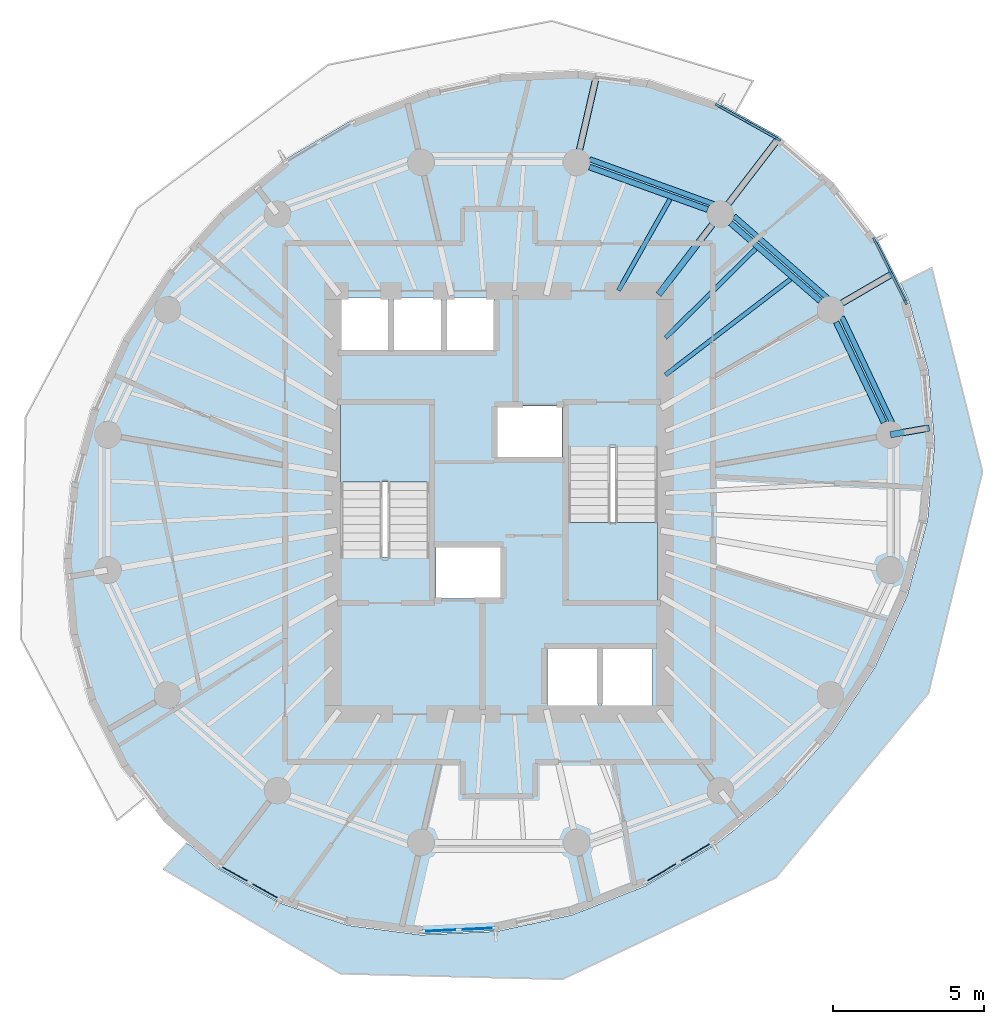
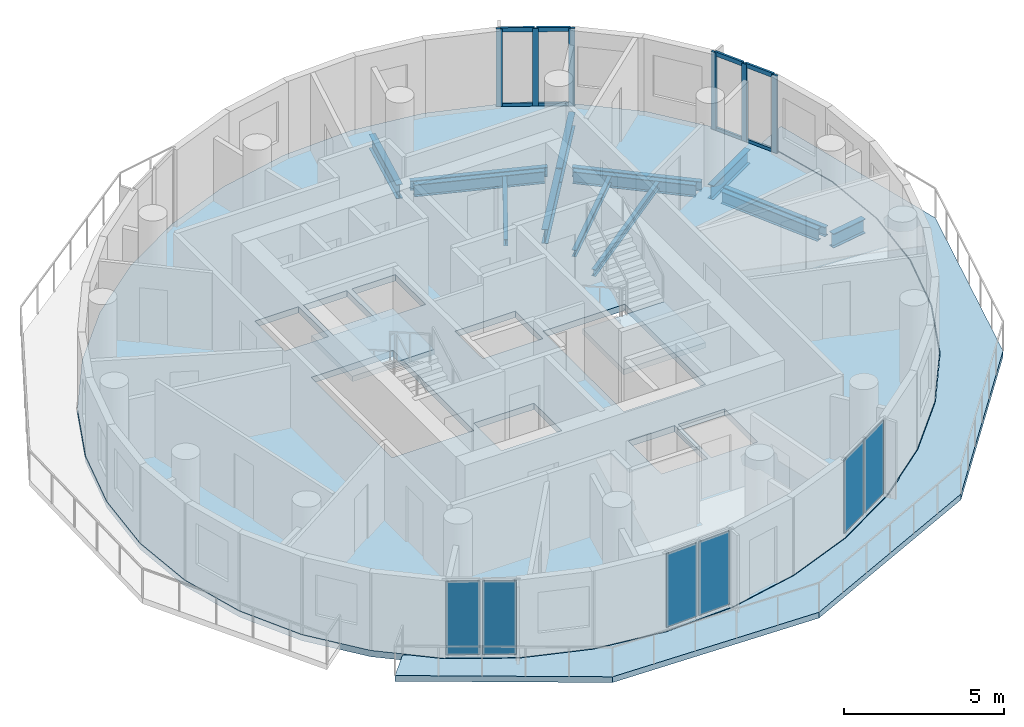
# One storey, part 3 of 10: 14 beams, 14 members, 6 plates, 4 slabs, 7 elements without a shape of their own.
"""IFC4 building model written with IfcOpenShell, lengths in metres."""

from ifc_helpers import new_model, si_unit, direction, frame, origin, origin_2d, place, context, subcontext, project, spatial, polyline, rectangle, i_section, outline, extrude, material, layer, layer_set, material_profile, profile_set, type_object, element, aggregate, save


model = new_model("IFC4")

# Units and contexts
model_context = context("Model", 3, precision=1e-05, world=origin(), true_north=direction((0.0, 1.0)))
body_context = subcontext(model_context, "Body", "Model", "MODEL_VIEW")
ifc_project = project(units=[si_unit("LENGTHUNIT", "METRE"), si_unit("AREAUNIT", "SQUARE_METRE"), si_unit("VOLUMEUNIT", "CUBIC_METRE"), si_unit("PLANEANGLEUNIT", "RADIAN"), si_unit("MASSUNIT", "GRAM", prefix="KILO")], contexts=[model_context])

# Site, building, storey
site_placement = place(None, origin())
site = spatial("IfcSite", under=ifc_project, at=site_placement, CompositionType="ELEMENT")
building_placement = place(site_placement, origin())
building = spatial("IfcBuilding", under=site, at=building_placement, Name="Veldorim Arch Residences", CompositionType="ELEMENT")
storey_placement = place(building_placement, frame((0.0, 0.0, 179.0400390625)))
storey = spatial("IfcBuildingStorey", under=building, at=storey_placement, Name="L53", CompositionType="ELEMENT", Elevation=179.0400390625)

# Beams
ifc_material_1 = material(Name="Steel S355", Category="steel")
ifc_material_profile_1 = material_profile(ifc_material_1, i_section(OverallWidth=0.2119140625, OverallDepth=0.54443359375, WebThickness=0.0126953125, FlangeThickness=0.021240234375, at=origin_2d()), Name="UB533x210x122")
ifc_profile_set_1 = profile_set([ifc_material_profile_1], Name="Steel S355")
beam_type_1 = type_object("IfcBeamType", Name="Structural Steel Beam UB533x210x122", PredefinedType="BEAM", material=ifc_profile_set_1)
beam_1_placement = place(storey_placement, frame((44.966064453125, 26.242919921875, -0.512451171875), z_axis=(0.985349902199, 0.170544921461, 0.0), x_axis=(-0.170544921461, 0.985349902199, 0.0)))
element("IfcBeam", 1, at=beam_1_placement, inside=storey, type_object=beam_type_1, Name="L53 radial edge cantilever girder 01", PredefinedType="BEAM", context=body_context, shape_type="SweptSolid", body=[
    extrude(i_section(OverallWidth=0.2119140625, OverallDepth=0.54443359375, WebThickness=0.0126953125, FlangeThickness=0.021240234375, at=origin_2d()), origin(), (0.0, 0.0, 1.0), 1.306884765625),
])
beam_2_placement = place(storey_placement, frame((42.99267578125, 30.387939453125, -0.512451171875), z_axis=(0.86459242159, 0.50247382472, 0.0), x_axis=(-0.50247382472, 0.86459242159, 0.0)))
element("IfcBeam", 2, at=beam_2_placement, inside=storey, type_object=beam_type_1, Name="L53 radial edge cantilever girder 02", PredefinedType="BEAM", context=body_context, shape_type="SweptSolid", body=[
    extrude(i_section(OverallWidth=0.2119140625, OverallDepth=0.54443359375, WebThickness=0.0126953125, FlangeThickness=0.021240234375, at=origin_2d()), origin(), (0.0, 0.0, 1.0), 2.315185546875),
])
beam_3_placement = place(storey_placement, frame((37.28662109375, 30.881103515625, -0.512451171875), z_axis=(0.609258442308, 0.792971721108, 0.0), x_axis=(-0.792971721108, 0.609258442308, 0.0)))
element("IfcBeam", 3, at=beam_3_placement, inside=storey, type_object=beam_type_1, Name="L53 radial floor girder 03", PredefinedType="BEAM", context=body_context, shape_type="SweptSolid", body=[
    extrude(i_section(OverallWidth=0.2119140625, OverallDepth=0.54443359375, WebThickness=0.0126953125, FlangeThickness=0.021240234375, at=origin_2d()), origin(), (0.0, 0.0, 1.0), 3.339599609375),
])
beam_4_placement = place(storey_placement, frame((39.345703125, 33.561279296875, -0.512451171875), z_axis=(0.609273468497, 0.792960175914, 0.0), x_axis=(-0.792960175914, 0.609273468497, 0.0)))
element("IfcBeam", 4, at=beam_4_placement, inside=storey, type_object=beam_type_1, Name="L53 radial edge cantilever girder 03", PredefinedType="BEAM", context=body_context, shape_type="SweptSolid", body=[
    extrude(i_section(OverallWidth=0.2119140625, OverallDepth=0.54443359375, WebThickness=0.0126953125, FlangeThickness=0.021240234375, at=origin_2d()), origin(), (0.0, 0.0, 1.0), 3.103515625),
])
beam_5_placement = place(storey_placement, frame((34.57958984375, 35.27880859375, -0.512451171875), z_axis=(0.222932038034, 0.974833989158, 0.0), x_axis=(-0.974833989158, 0.222932038034, 0.0)))
element("IfcBeam", 5, at=beam_5_placement, inside=storey, type_object=beam_type_1, Name="L53 radial edge cantilever girder 04", PredefinedType="BEAM", context=body_context, shape_type="SweptSolid", body=[
    extrude(i_section(OverallWidth=0.2119140625, OverallDepth=0.54443359375, WebThickness=0.0126953125, FlangeThickness=0.021240234375, at=origin_2d()), origin(), (0.0, 0.0, 1.0), 2.9052734375),
])
ifc_material_2 = material(Name="Steel S355", Category="steel")
ifc_material_profile_2 = material_profile(ifc_material_2, i_section(OverallWidth=0.146484375, OverallDepth=0.256103515625, WebThickness=0.00634765625, FlangeThickness=0.010986328125, at=origin_2d()), Name="UB254x146x37")
ifc_profile_set_2 = profile_set([ifc_material_profile_2], Name="Steel S355")
beam_type_2 = type_object("IfcBeamType", Name="Structural Steel Joist UB254x146x37", PredefinedType="JOIST", material=ifc_profile_set_2)
beam_6_placement = place(storey_placement, frame((37.515869140625, 28.222900390625, -0.367919921875), z_axis=(0.794013672216, 0.607899899929, 0.0), x_axis=(-0.607899899929, 0.794013672216, 0.0)))
element("IfcBeam", 6, at=beam_6_placement, inside=storey, type_object=beam_type_2, Name="L53 secondary radial floor joist 02-1", PredefinedType="JOIST", context=body_context, shape_type="SweptSolid", body=[
    extrude(i_section(OverallWidth=0.146484375, OverallDepth=0.256103515625, WebThickness=0.00634765625, FlangeThickness=0.010986328125, at=origin_2d()), origin(), (0.0, 0.0, 1.0), 5.217041015625),
])
beam_7_placement = place(storey_placement, frame((37.51416015625, 29.44775390625, -0.367919921875), z_axis=(0.711396725432, 0.702790650937, 0.0), x_axis=(-0.702790650937, 0.711396725432, 0.0)))
element("IfcBeam", 7, at=beam_7_placement, inside=storey, type_object=beam_type_2, Name="L53 secondary radial floor joist 02-2", PredefinedType="JOIST", context=body_context, shape_type="SweptSolid", body=[
    extrude(i_section(OverallWidth=0.146484375, OverallDepth=0.256103515625, WebThickness=0.00634765625, FlangeThickness=0.010986328125, at=origin_2d()), origin(), (0.0, 0.0, 1.0), 4.198486328125),
])
beam_8_placement = place(storey_placement, frame((35.960205078125, 31.017333984375, -0.367919921875), z_axis=(0.491452469585, 0.870904397818, 0.0), x_axis=(-0.870904397818, 0.491452469585, 0.0)))
element("IfcBeam", 8, at=beam_8_placement, inside=storey, type_object=beam_type_2, Name="L53 secondary radial floor joist 03-1", PredefinedType="JOIST", context=body_context, shape_type="SweptSolid", body=[
    extrude(i_section(OverallWidth=0.146484375, OverallDepth=0.256103515625, WebThickness=0.00634765625, FlangeThickness=0.010986328125, at=origin_2d()), origin(), (0.0, 0.0, 1.0), 3.472412109375),
])
ifc_material_3 = material(Name="Steel S355", Category="steel")
ifc_material_profile_3 = material_profile(ifc_material_3, i_section(OverallWidth=0.172119140625, OverallDepth=0.35791015625, WebThickness=0.008056640625, FlangeThickness=0.012939453125, at=origin_2d()), Name="UB356x171x57")
ifc_profile_set_3 = profile_set([ifc_material_profile_3], Name="Steel S355")
beam_type_3 = type_object("IfcBeamType", Name="Structural Steel Spandrel UB356x171x57", PredefinedType="SPANDREL", material=ifc_profile_set_3)
beam_9_placement = place(storey_placement, frame((45.0205078125, 26.6396484375, -0.43896484375), z_axis=(-0.428408308939, 0.903585259304, 0.0), x_axis=(-0.903585259304, -0.428408308939, 0.0)))
element("IfcBeam", 9, at=beam_9_placement, inside=storey, type_object=beam_type_3, Name="L53 perimeter chord spandrel beam 01", PredefinedType="SPANDREL", context=body_context, shape_type="SweptSolid", body=[
    extrude(i_section(OverallWidth=0.172119140625, OverallDepth=0.35791015625, WebThickness=0.008056640625, FlangeThickness=0.012939453125, at=origin_2d()), origin(), (0.0, 0.0, 1.0), 3.878662109375),
])
beam_10_placement = place(storey_placement, frame((42.891357421875, 30.762939453125, -0.43896484375), z_axis=(-0.752847646119, 0.6581948205, 0.0), x_axis=(-0.6581948205, -0.752847646119, 0.0)))
element("IfcBeam", 10, at=beam_10_placement, inside=storey, type_object=beam_type_3, Name="L53 perimeter chord spandrel beam 02", PredefinedType="SPANDREL", context=body_context, shape_type="SweptSolid", body=[
    extrude(i_section(OverallWidth=0.172119140625, OverallDepth=0.35791015625, WebThickness=0.008056640625, FlangeThickness=0.012939453125, at=origin_2d()), origin(), (0.0, 0.0, 1.0), 4.12939453125),
])
beam_11_placement = place(storey_placement, frame((39.112060546875, 33.87646484375, -0.43896484375), z_axis=(-0.940164695555, 0.340720332871, 0.0), x_axis=(-0.340720332871, -0.940164695555, 0.0)))
element("IfcBeam", 11, at=beam_11_placement, inside=storey, type_object=beam_type_3, Name="L53 perimeter chord spandrel beam 03", PredefinedType="SPANDREL", context=body_context, shape_type="SweptSolid", body=[
    extrude(i_section(OverallWidth=0.172119140625, OverallDepth=0.35791015625, WebThickness=0.008056640625, FlangeThickness=0.012939453125, at=origin_2d()), origin(), (0.0, 0.0, 1.0), 4.370849609375),
])
ifc_material_4 = material(Name="Steel S355", Category="steel")
ifc_material_profile_4 = material_profile(ifc_material_4, i_section(OverallWidth=0.19140625, OverallDepth=0.4599609375, WebThickness=0.010009765625, FlangeThickness=0.01611328125, at=origin_2d()), Name="UB457x191x82")
ifc_profile_set_4 = profile_set([ifc_material_profile_4], Name="Steel S355")
beam_type_4 = type_object("IfcBeamType", Name="Structural Steel Spandrel UB457x191x82", PredefinedType="SPANDREL", material=ifc_profile_set_4)
beam_12_placement = place(storey_placement, frame((44.7529296875, 26.64599609375, -0.469970703125), z_axis=(-0.430005613988, 0.902826213586, 0.0), x_axis=(-0.902826213586, -0.430005613988, 0.0)))
element("IfcBeam", 12, at=beam_12_placement, inside=storey, type_object=beam_type_4, Name="L53 perimeter ring tie beam 01", PredefinedType="SPANDREL", context=body_context, shape_type="SweptSolid", body=[
    extrude(i_section(OverallWidth=0.19140625, OverallDepth=0.4599609375, WebThickness=0.010009765625, FlangeThickness=0.01611328125, at=origin_2d()), origin(), (0.0, 0.0, 1.0), 3.68359375),
])
beam_13_placement = place(storey_placement, frame((42.635986328125, 30.673095703125, -0.469970703125), z_axis=(-0.754545285701, 0.656247980436, 0.0), x_axis=(-0.656247980436, -0.754545285701, 0.0)))
element("IfcBeam", 13, at=beam_13_placement, inside=storey, type_object=beam_type_4, Name="L53 perimeter ring tie beam 02", PredefinedType="SPANDREL", context=body_context, shape_type="SweptSolid", body=[
    extrude(i_section(OverallWidth=0.19140625, OverallDepth=0.4599609375, WebThickness=0.010009765625, FlangeThickness=0.01611328125, at=origin_2d()), origin(), (0.0, 0.0, 1.0), 3.9267578125),
])
beam_14_placement = place(storey_placement, frame((38.91015625, 33.69775390625, -0.469970703125), z_axis=(-0.940811035395, 0.338931550137, 0.0), x_axis=(-0.338931550137, -0.940811035395, 0.0)))
element("IfcBeam", 14, at=beam_14_placement, inside=storey, type_object=beam_type_4, Name="L53 perimeter ring tie beam 03", PredefinedType="SPANDREL", context=body_context, shape_type="SweptSolid", body=[
    extrude(i_section(OverallWidth=0.19140625, OverallDepth=0.4599609375, WebThickness=0.010009765625, FlangeThickness=0.01611328125, at=origin_2d()), origin(), (0.0, 0.0, 1.0), 4.15771484375),
])

# Curtain wall, members
ifc_material_5 = material(Name="Aluminium", Category="aluminium")
curtain_wall_type = type_object("IfcCurtainWallType", Name="Zone 4 High-Altitude Unitised Curtain Wall", PredefinedType="NOTDEFINED", material=ifc_material_5)
curtain_wall_1_placement = place(storey_placement, origin())
curtain_wall_1 = element("IfcCurtainWall", 15, at=curtain_wall_1_placement, inside=storey, type_object=curtain_wall_type, Name="L53 unitised curtain wall bay 02", PredefinedType="NOTDEFINED")
ifc_material_6 = material(Name="Aluminium", Category="aluminium")
ifc_material_profile_5 = material_profile(ifc_material_6, rectangle(XDim=0.074951171875, YDim=0.195068359375, at=origin_2d()), Name="ALU_MUL_75x195")
ifc_profile_set_5 = profile_set([ifc_material_profile_5], Name="Aluminium")
member_type_1 = type_object("IfcMemberType", Name="Zone 4 High-Altitude Unitised Curtain Wall Mullion 75x195", PredefinedType="MULLION", material=ifc_profile_set_5)
member_1_placement = place(storey_placement, frame((39.25390625, 37.14013671875, 0.0), z_axis=(0.0, 0.0, 1.0), x_axis=(0.487736356175, 0.872990977539, 0.0)))
member_1 = element("IfcMember", 16, at=member_1_placement, type_object=member_type_1, Name="CW-Z4 mullion 1", PredefinedType="MULLION", context=body_context, shape_type="SweptSolid", body=[
    extrude(rectangle(XDim=0.074951171875, YDim=0.195068359375, at=origin_2d()), origin(), (0.0, 0.0, 1.0), 2.9599609375),
])
member_2_placement = place(storey_placement, frame((40.24560546875, 36.586181640625, 0.0), z_axis=(0.0, 0.0, 1.0), x_axis=(0.487736356175, 0.872990977539, 0.0)))
member_2 = element("IfcMember", 17, at=member_2_placement, type_object=member_type_1, Name="CW-Z4 mullion 2", PredefinedType="MULLION", context=body_context, shape_type="SweptSolid", body=[
    extrude(rectangle(XDim=0.074951171875, YDim=0.195068359375, at=origin_2d()), origin(), (0.0, 0.0, 1.0), 2.9599609375),
])
member_3_placement = place(storey_placement, frame((41.237060546875, 36.0322265625, 0.0), z_axis=(0.0, 0.0, 1.0), x_axis=(0.487736356175, 0.872990977539, 0.0)))
member_3 = element("IfcMember", 18, at=member_3_placement, type_object=member_type_1, Name="CW-Z4 mullion 3", PredefinedType="MULLION", context=body_context, shape_type="SweptSolid", body=[
    extrude(rectangle(XDim=0.074951171875, YDim=0.195068359375, at=origin_2d()), origin(), (0.0, 0.0, 1.0), 2.9599609375),
])

curtain_wall_2_placement = place(storey_placement, origin())
curtain_wall_2 = element("IfcCurtainWall", 19, at=curtain_wall_2_placement, inside=storey, type_object=curtain_wall_type, Name="L53 unitised curtain wall bay 35", PredefinedType="NOTDEFINED")
member_4_placement = place(storey_placement, frame((44.445068359375, 32.673095703125, 0.0), z_axis=(0.0, 0.0, 1.0), x_axis=(0.894537952804, 0.446992003276, 0.0)))
member_4 = element("IfcMember", 20, at=member_4_placement, type_object=member_type_1, Name="CW-Z4 mullion 1", PredefinedType="MULLION", context=body_context, shape_type="SweptSolid", body=[
    extrude(rectangle(XDim=0.074951171875, YDim=0.195068359375, at=origin_2d()), origin(), (0.0, 0.0, 1.0), 2.9599609375),
])
member_5_placement = place(storey_placement, frame((44.95263671875, 31.656982421875, 0.0), z_axis=(0.0, 0.0, 1.0), x_axis=(0.894537952804, 0.446992003276, 0.0)))
member_5 = element("IfcMember", 21, at=member_5_placement, type_object=member_type_1, Name="CW-Z4 mullion 2", PredefinedType="MULLION", context=body_context, shape_type="SweptSolid", body=[
    extrude(rectangle(XDim=0.074951171875, YDim=0.195068359375, at=origin_2d()), origin(), (0.0, 0.0, 1.0), 2.9599609375),
])
member_6_placement = place(storey_placement, frame((45.46044921875, 30.640869140625, 0.0), z_axis=(0.0, 0.0, 1.0), x_axis=(0.894537952804, 0.446992003276, 0.0)))
member_6 = element("IfcMember", 22, at=member_6_placement, type_object=member_type_1, Name="CW-Z4 mullion 3", PredefinedType="MULLION", context=body_context, shape_type="SweptSolid", body=[
    extrude(rectangle(XDim=0.074951171875, YDim=0.195068359375, at=origin_2d()), origin(), (0.0, 0.0, 1.0), 2.9599609375),
])

# Member
ifc_material_7 = material(Name="Aluminium", Category="aluminium")
ifc_material_profile_6 = material_profile(ifc_material_7, rectangle(XDim=0.074951171875, YDim=0.1650390625, at=origin_2d()), Name="ALU_TRN_75x165")
ifc_profile_set_6 = profile_set([ifc_material_profile_6], Name="Aluminium")
member_type_2 = type_object("IfcMemberType", Name="Zone 4 High-Altitude Unitised Curtain Wall Transom 75x165", PredefinedType="USERDEFINED", material=ifc_profile_set_6)
member_7_placement = place(storey_placement, frame((39.28662109375, 37.121826171875, 0.037353515625), z_axis=(0.873058743118, -0.487615043929, 0.0), x_axis=(0.487615043929, 0.873058743118, 0.0)))
member_7 = element("IfcMember", 23, at=member_7_placement, type_object=member_type_2, Name="CW-Z4 transom 1.1", ObjectType="TRANSOM", PredefinedType="USERDEFINED", context=body_context, shape_type="SweptSolid", body=[
    extrude(rectangle(XDim=0.074951171875, YDim=0.1650390625, at=origin_2d()), origin(), (0.0, 0.0, 1.0), 1.06103515625),
])

member_8_placement = place(storey_placement, frame((39.28662109375, 37.121826171875, 2.92236328125), z_axis=(0.873058743118, -0.487615043929, 0.0), x_axis=(0.487615043929, 0.873058743118, 0.0)))
member_8 = element("IfcMember", 24, at=member_8_placement, type_object=member_type_2, Name="CW-Z4 transom 1.2", ObjectType="TRANSOM", PredefinedType="USERDEFINED", context=body_context, shape_type="SweptSolid", body=[
    extrude(rectangle(XDim=0.074951171875, YDim=0.1650390625, at=origin_2d()), origin(), (0.0, 0.0, 1.0), 1.06103515625),
])

member_9_placement = place(storey_placement, frame((40.2783203125, 36.56787109375, 0.037353515625), z_axis=(0.87300401239, -0.487713024586, 0.0), x_axis=(0.487713024586, 0.87300401239, 0.0)))
member_9 = element("IfcMember", 25, at=member_9_placement, type_object=member_type_2, Name="CW-Z4 transom 2.1", ObjectType="TRANSOM", PredefinedType="USERDEFINED", context=body_context, shape_type="SweptSolid", body=[
    extrude(rectangle(XDim=0.074951171875, YDim=0.1650390625, at=origin_2d()), origin(), (0.0, 0.0, 1.0), 1.060791015625),
])

member_10_placement = place(storey_placement, frame((40.2783203125, 36.56787109375, 2.92236328125), z_axis=(0.87300401239, -0.487713024586, 0.0), x_axis=(0.487713024586, 0.87300401239, 0.0)))
member_10 = element("IfcMember", 26, at=member_10_placement, type_object=member_type_2, Name="CW-Z4 transom 2.2", ObjectType="TRANSOM", PredefinedType="USERDEFINED", context=body_context, shape_type="SweptSolid", body=[
    extrude(rectangle(XDim=0.074951171875, YDim=0.1650390625, at=origin_2d()), origin(), (0.0, 0.0, 1.0), 1.060791015625),
])

aggregate(curtain_wall_1, [member_1, member_2, member_3, member_7, member_8, member_9, member_10])

member_11_placement = place(storey_placement, frame((44.461669921875, 32.6396484375, 0.037353515625), z_axis=(0.447121545464, -0.894473210097, 0.0), x_axis=(0.894473210097, 0.447121545464, 0.0)))
member_11 = element("IfcMember", 27, at=member_11_placement, type_object=member_type_2, Name="CW-Z4 transom 1.1", ObjectType="TRANSOM", PredefinedType="USERDEFINED", context=body_context, shape_type="SweptSolid", body=[
    extrude(rectangle(XDim=0.074951171875, YDim=0.1650390625, at=origin_2d()), origin(), (0.0, 0.0, 1.0), 1.06103515625),
])

member_12_placement = place(storey_placement, frame((44.461669921875, 32.6396484375, 2.92236328125), z_axis=(0.447121545464, -0.894473210097, 0.0), x_axis=(0.894473210097, 0.447121545464, 0.0)))
member_12 = element("IfcMember", 28, at=member_12_placement, type_object=member_type_2, Name="CW-Z4 transom 1.2", ObjectType="TRANSOM", PredefinedType="USERDEFINED", context=body_context, shape_type="SweptSolid", body=[
    extrude(rectangle(XDim=0.074951171875, YDim=0.1650390625, at=origin_2d()), origin(), (0.0, 0.0, 1.0), 1.06103515625),
])

member_13_placement = place(storey_placement, frame((44.969482421875, 31.62353515625, 0.037353515625), z_axis=(0.446937402769, -0.89456523407, 0.0), x_axis=(0.89456523407, 0.446937402769, 0.0)))
member_13 = element("IfcMember", 29, at=member_13_placement, type_object=member_type_2, Name="CW-Z4 transom 2.1", ObjectType="TRANSOM", PredefinedType="USERDEFINED", context=body_context, shape_type="SweptSolid", body=[
    extrude(rectangle(XDim=0.074951171875, YDim=0.1650390625, at=origin_2d()), origin(), (0.0, 0.0, 1.0), 1.060791015625),
])

member_14_placement = place(storey_placement, frame((44.969482421875, 31.62353515625, 2.92236328125), z_axis=(0.446937402769, -0.89456523407, 0.0), x_axis=(0.89456523407, 0.446937402769, 0.0)))
member_14 = element("IfcMember", 30, at=member_14_placement, type_object=member_type_2, Name="CW-Z4 transom 2.2", ObjectType="TRANSOM", PredefinedType="USERDEFINED", context=body_context, shape_type="SweptSolid", body=[
    extrude(rectangle(XDim=0.074951171875, YDim=0.1650390625, at=origin_2d()), origin(), (0.0, 0.0, 1.0), 1.060791015625),
])

aggregate(curtain_wall_2, [member_4, member_5, member_6, member_11, member_12, member_13, member_14])

# Slab
ifc_material_8 = material(Name="Concrete C40/50", Category="concrete")
ifc_layer_1 = layer(ifc_material_8, 0.219970703125, Name="Planted Crescent Cantilever Balcony Slab 220")
ifc_layer_set_1 = layer_set([ifc_layer_1], Name="Concrete C40/50")
slab_type_1 = type_object("IfcSlabType", Name="Planted Crescent Cantilever Balcony Slab 220", PredefinedType="FLOOR", material=ifc_layer_set_1)
slab_1_placement = place(storey_placement, frame((0.0, 0.0, -0.219970703125)))
element("IfcSlab", 31, at=slab_1_placement, inside=storey, type_object=slab_type_1, Name="L53 planted crescent balcony slab B", PredefinedType="FLOOR", context=body_context, shape_type="SweptSolid", body=[
    extrude(outline(polyline([(21.7763671875, 12.65380859375), (22.671875, 11.886962890625), (24.724853515625, 10.739990234375), (26.998779296875, 9.99609375), (29.424560546875, 9.677734375), (31.928466796875, 9.794677734375), (34.434326171875, 10.34326171875), (36.865966796875, 11.306640625), (39.14990234375, 12.6552734375), (39.906494140625, 13.247314453125), (39.985595703125, 13.340087890625), (41.216552734375, 14.348876953125), (43.00341796875, 16.335205078125), (44.455810546875, 18.554443359375), (45.530029296875, 20.939208984375), (46.193603515625, 23.417236328125), (46.331298828125, 24.897216796875), (46.367431640625, 25.01806640625), (46.351318359375, 25.11279296875), (46.42578125, 25.912841796875), (46.219482421875, 28.350830078125), (45.5810546875, 30.656494140625), (45.3046875, 31.2578125), (46.333984375, 31.7705078125), (48.014892578125, 25.020263671875), (46.223388671875, 17.680419921875), (41.178466796875, 11.576171875), (34.107421875, 8.210205078125), (26.752685546875, 8.3916015625), (20.890625, 11.85595703125), (21.658935546875, 12.711669921875), (21.7763671875, 12.65380859375)])), origin(), (0.0, 0.0, 1.0), 0.219970703125),
])

# Stair, slab
ifc_material_9 = material(Name="Concrete C40/50", Category="concrete")
stair_type = type_object("IfcStairType", Name="Reinforced Concrete Dogleg Exit Staircase", PredefinedType="HALF_TURN_STAIR", material=ifc_material_9)
stair_1_placement = place(storey_placement, origin())
stair_1 = element("IfcStair", 32, at=stair_1_placement, inside=storey, type_object=stair_type, Name="L53 Exit Staircase ST-1", PredefinedType="HALF_TURN_STAIR")
ifc_material_10 = material(Name="Concrete C40/50", Category="concrete")
ifc_layer_2 = layer(ifc_material_10, 0.199951171875, Name="Reinforced Concrete Stair Landing 200")
ifc_layer_set_2 = layer_set([ifc_layer_2], Name="Concrete C40/50")
slab_type_2 = type_object("IfcSlabType", Name="Reinforced Concrete Stair Landing 200", PredefinedType="LANDING", material=ifc_layer_set_2)
slab_2_placement = place(storey_placement, frame((0.0, 0.0, 1.39990234375)))
slab_2 = element("IfcSlab", 33, at=slab_2_placement, type_object=slab_type_2, Name="ST-1 landing 1", PredefinedType="LANDING", context=body_context, shape_type="SweptSolid", body=[
    extrude(outline(polyline([(29.7099609375, 24.669921875), (29.7099609375, 27.25), (26.75, 27.25), (26.75, 24.669921875), (29.7099609375, 24.669921875)])), origin(), (0.0, 0.0, 1.0), 0.199951171875),
])
aggregate(stair_1, [slab_2])

stair_2_placement = place(storey_placement, origin())
stair_2 = element("IfcStair", 34, at=stair_2_placement, inside=storey, type_object=stair_type, Name="L53 Exit Staircase ST-2", PredefinedType="HALF_TURN_STAIR")
slab_3_placement = place(storey_placement, frame((0.0, 0.0, 1.39990234375)))
slab_3 = element("IfcSlab", 35, at=slab_3_placement, type_object=slab_type_2, Name="ST-2 landing 1", PredefinedType="LANDING", context=body_context, shape_type="SweptSolid", body=[
    extrude(outline(polyline([(34.2900390625, 23.330078125), (34.2900390625, 20.75), (37.25, 20.75), (37.25, 23.330078125), (34.2900390625, 23.330078125)])), origin(), (0.0, 0.0, 1.0), 0.199951171875),
])
aggregate(stair_2, [slab_3])

# Slab
ifc_material_11 = material(Name="Concrete C40/50", Category="concrete")
ifc_layer_3 = layer(ifc_material_11, 0.239990234375, Name="Typical Residential Floor Slab 240")
ifc_layer_set_3 = layer_set([ifc_layer_3], Name="Concrete C40/50")
slab_type_3 = type_object("IfcSlabType", Name="Typical Residential Floor Slab 240", PredefinedType="FLOOR", material=ifc_layer_set_3)
slab_4_placement = place(storey_placement, frame((0.0, 0.0, -0.239990234375)))
element("IfcSlab", 36, at=slab_4_placement, inside=storey, type_object=slab_type_3, Name="L53 tower structural floor slab", PredefinedType="FLOOR", context=body_context, shape_type="SweptSolid", body=[
    extrude(outline(polyline([(43.07958984375, 34.58056640625), (41.313720703125, 36.092529296875), (39.26513671875, 37.237060546875), (36.99560546875, 37.9794921875), (34.57421875, 38.297119140625), (32.07470703125, 38.180419921875), (29.572998046875, 37.6328125), (27.14501953125, 36.6708984375), (24.864501953125, 35.32421875), (22.80078125, 33.633056640625), (21.0166015625, 31.6494140625), (19.566162109375, 29.43359375), (18.493408203125, 27.05224609375), (17.831298828125, 24.578369140625), (17.599365234375, 22.0869140625), (17.80517578125, 19.653564453125), (18.4423828125, 17.352294921875), (19.4912109375, 15.253173828125), (20.92041015625, 13.41943359375), (22.686279296875, 11.907470703125), (24.73486328125, 10.762939453125), (27.00439453125, 10.0205078125), (29.42578125, 9.702880859375), (31.92529296875, 9.819580078125), (34.427001953125, 10.3671875), (36.85498046875, 11.3291015625), (39.135498046875, 12.67578125), (41.19921875, 14.366943359375), (42.9833984375, 16.3505859375), (44.433837890625, 18.56640625), (45.506591796875, 20.94775390625), (46.168701171875, 23.421630859375), (46.400634765625, 25.9130859375), (46.19482421875, 28.346435546875), (45.5576171875, 30.647705078125), (44.5087890625, 32.746826171875), (43.07958984375, 34.58056640625)]), holes=[polyline([(33.610107421875, 17.2099609375), (33.610107421875, 19.2900390625), (35.2900390625, 19.2900390625), (35.2900390625, 17.2099609375), (33.610107421875, 17.2099609375)]), polyline([(35.409912109375, 17.2099609375), (35.409912109375, 19.2900390625), (37.090087890625, 19.2900390625), (37.090087890625, 17.2099609375), (35.409912109375, 17.2099609375)]), polyline([(29.909912109375, 20.81494140625), (29.909912109375, 22.544921875), (32.090087890625, 22.544921875), (32.090087890625, 20.81494140625), (29.909912109375, 20.81494140625)]), polyline([(34.2900390625, 20.75), (34.2900390625, 25.804931640625), (37.25, 25.804931640625), (37.25, 20.75), (34.2900390625, 20.75)]), polyline([(26.75, 22.195068359375), (26.75, 27.25), (29.7099609375, 27.25), (29.7099609375, 22.195068359375), (26.75, 22.195068359375)]), polyline([(31.909912109375, 25.455078125), (31.909912109375, 27.18505859375), (34.090087890625, 27.18505859375), (34.090087890625, 25.455078125), (31.909912109375, 25.455078125)]), polyline([(26.760009765625, 28.909912109375), (26.760009765625, 30.7900390625), (28.340087890625, 30.7900390625), (28.340087890625, 28.909912109375), (26.760009765625, 28.909912109375)]), polyline([(28.510009765625, 30.7900390625), (30.090087890625, 30.7900390625), (30.090087890625, 28.909912109375), (28.510009765625, 28.909912109375), (28.510009765625, 30.7900390625)]), polyline([(30.260009765625, 30.7900390625), (31.840087890625, 30.7900390625), (31.840087890625, 28.909912109375), (30.260009765625, 28.909912109375), (30.260009765625, 30.7900390625)])]), origin(), (0.0, 0.0, 1.0), 0.239990234375),
])

# Curtain wall, plates
curtain_wall_3_placement = place(storey_placement, origin())
curtain_wall_3 = element("IfcCurtainWall", 37, at=curtain_wall_3_placement, inside=storey, type_object=curtain_wall_type, Name="L53 unitised curtain wall bay 20", PredefinedType="NOTDEFINED")
ifc_material_12 = material(Name="Laminated Low-E Glass", Category="glass")
ifc_layer_4 = layer(ifc_material_12, 0.030029296875, Name="Zone 4 High-Altitude Unitised Curtain Wall Glazing Panel 30")
ifc_layer_set_4 = layer_set([ifc_layer_4], Name="Laminated Low-E Glass")
plate_type = type_object("IfcPlateType", Name="Zone 4 High-Altitude Unitised Curtain Wall Glazing Panel 30", PredefinedType="CURTAIN_PANEL", material=ifc_layer_set_4)
plate_1_placement = place(storey_placement, frame((24.250244140625, 11.13671875, 0.074951171875), z_axis=(0.0, 0.0, 1.0), x_axis=(-0.872990977539, 0.487736356175, 0.0)))
plate_1 = element("IfcPlate", 38, at=plate_1_placement, type_object=plate_type, Name="CW-Z4 panel 1.1", PredefinedType="CURTAIN_PANEL", context=body_context, shape_type="SweptSolid", body=[
    extrude(rectangle(XDim=1.060791015625, YDim=0.030029296875, at=origin_2d()), origin(), (0.0, 0.0, 1.0), 2.81005859375),
])
plate_2_placement = place(storey_placement, frame((23.258544921875, 11.69091796875, 0.074951171875), z_axis=(0.0, 0.0, 1.0), x_axis=(-0.872990977539, 0.487736356175, 0.0)))
plate_2 = element("IfcPlate", 39, at=plate_2_placement, type_object=plate_type, Name="CW-Z4 panel 2.1", PredefinedType="CURTAIN_PANEL", context=body_context, shape_type="SweptSolid", body=[
    extrude(rectangle(XDim=1.060791015625, YDim=0.030029296875, at=origin_2d()), origin(), (0.0, 0.0, 1.0), 2.81005859375),
])
aggregate(curtain_wall_3, [plate_1, plate_2])

curtain_wall_4_placement = place(storey_placement, origin())
curtain_wall_4 = element("IfcCurtainWall", 40, at=curtain_wall_4_placement, inside=storey, type_object=curtain_wall_type, Name="L53 unitised curtain wall bay 23", PredefinedType="NOTDEFINED")
plate_3_placement = place(storey_placement, frame((31.27734375, 9.87939453125, 0.074951171875), z_axis=(0.0, 0.0, 1.0), x_axis=(-0.998909968962, -0.046678409438, 0.0)))
plate_3 = element("IfcPlate", 41, at=plate_3_placement, type_object=plate_type, Name="CW-Z4 panel 1.1", PredefinedType="CURTAIN_PANEL", context=body_context, shape_type="SweptSolid", body=[
    extrude(rectangle(XDim=1.138671875, YDim=0.030029296875, at=origin_2d()), origin(), (0.0, 0.0, 1.0), 2.81005859375),
])
plate_4_placement = place(storey_placement, frame((30.065185546875, 9.82275390625, 0.074951171875), z_axis=(0.0, 0.0, 1.0), x_axis=(-0.998909968962, -0.046678409438, 0.0)))
plate_4 = element("IfcPlate", 42, at=plate_4_placement, type_object=plate_type, Name="CW-Z4 panel 2.1", PredefinedType="CURTAIN_PANEL", context=body_context, shape_type="SweptSolid", body=[
    extrude(rectangle(XDim=1.138671875, YDim=0.030029296875, at=origin_2d()), origin(), (0.0, 0.0, 1.0), 2.81005859375),
])
aggregate(curtain_wall_4, [plate_3, plate_4])

curtain_wall_5_placement = place(storey_placement, origin())
curtain_wall_5 = element("IfcCurtainWall", 43, at=curtain_wall_5_placement, inside=storey, type_object=curtain_wall_type, Name="L53 unitised curtain wall bay 26", PredefinedType="NOTDEFINED")
plate_5_placement = place(storey_placement, frame((38.50341796875, 12.4072265625, 0.074951171875), z_axis=(0.0, 0.0, 1.0), x_axis=(-0.861053534494, -0.508514317139, 0.0)))
plate_5 = element("IfcPlate", 44, at=plate_5_placement, type_object=plate_type, Name="CW-Z4 panel 1.1", PredefinedType="CURTAIN_PANEL", context=body_context, shape_type="SweptSolid", body=[
    extrude(rectangle(XDim=1.211669921875, YDim=0.030029296875, at=origin_2d()), origin(), (0.0, 0.0, 1.0), 2.81005859375),
])
plate_6_placement = place(storey_placement, frame((37.3955078125, 11.7529296875, 0.074951171875), z_axis=(0.0, 0.0, 1.0), x_axis=(-0.861053534494, -0.508514317139, 0.0)))
plate_6 = element("IfcPlate", 45, at=plate_6_placement, type_object=plate_type, Name="CW-Z4 panel 2.1", PredefinedType="CURTAIN_PANEL", context=body_context, shape_type="SweptSolid", body=[
    extrude(rectangle(XDim=1.211669921875, YDim=0.030029296875, at=origin_2d()), origin(), (0.0, 0.0, 1.0), 2.81005859375),
])
aggregate(curtain_wall_5, [plate_5, plate_6])

save(model, "model.ifc")
